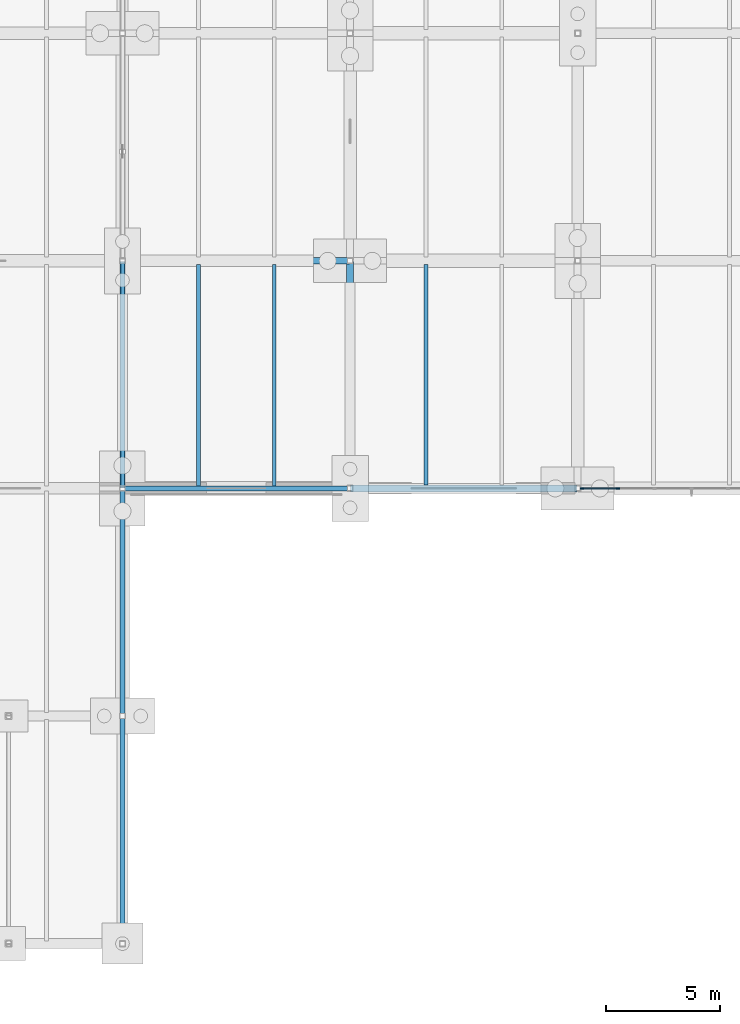
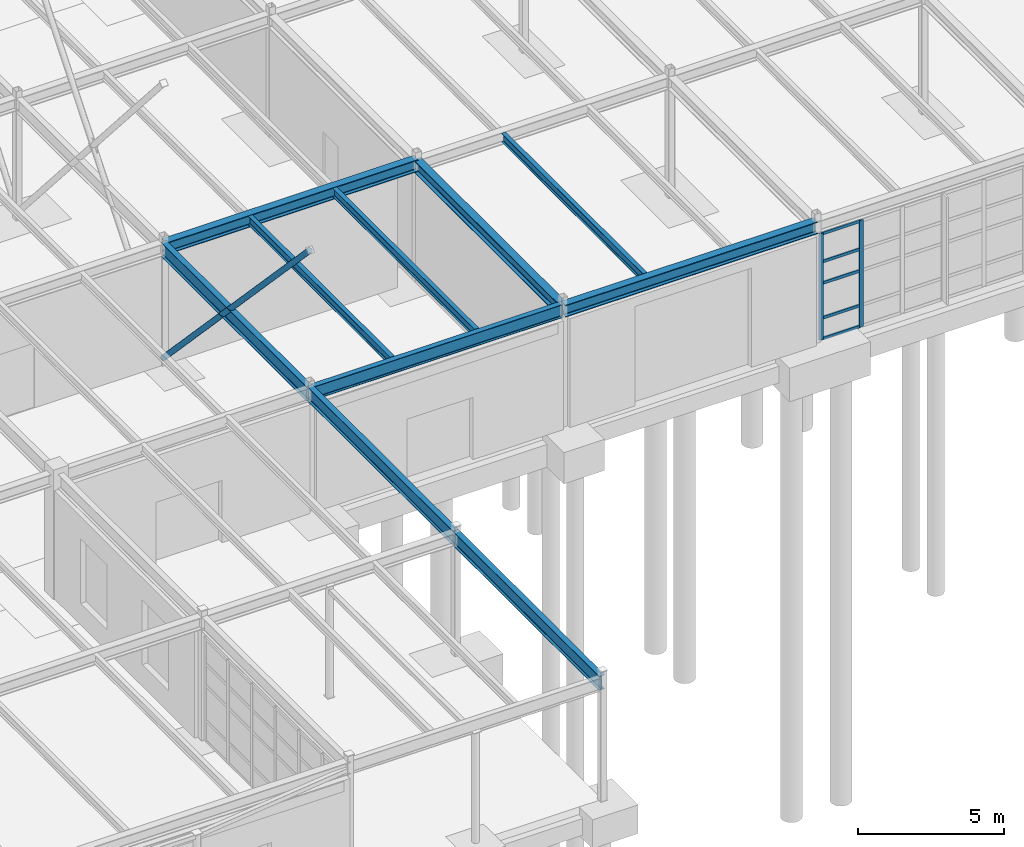
# One storey, part 42 of 145: 10 beams, 8 members, 1 element without a shape of its own.
"""IFC4 building model written with IfcOpenShell, lengths in metres."""

from ifc_helpers import new_model, si_unit, direction, frame, origin, origin_2d, place, context, subcontext, project, spatial, rectangle, hollow_circle, i_section, extrude, material, layer, layer_set, material_profile, profile_set, type_object, element, aggregate, save


model = new_model("IFC4")

# Units and contexts
model_context = context("Model", 3, precision=1e-05, world=origin(), true_north=direction((0.0, 1.0)))
body_context = subcontext(model_context, "Body", "Model", "MODEL_VIEW")
ifc_project = project(units=[si_unit("LENGTHUNIT", "METRE"), si_unit("AREAUNIT", "SQUARE_METRE"), si_unit("VOLUMEUNIT", "CUBIC_METRE"), si_unit("PLANEANGLEUNIT", "RADIAN"), si_unit("MASSUNIT", "GRAM", prefix="KILO"), si_unit("THERMODYNAMICTEMPERATUREUNIT", "KELVIN"), si_unit("POWERUNIT", "WATT")], contexts=[model_context])

# Site, building, storey
site_placement = place(None, origin())
site = spatial("IfcSite", under=ifc_project, at=site_placement, CompositionType="ELEMENT")
building_placement = place(site_placement, origin())
building = spatial("IfcBuilding", under=site, at=building_placement, Name="Korenveer Ferry Terminal", CompositionType="ELEMENT")
storey_placement = place(building_placement, origin())
storey = spatial("IfcBuildingStorey", under=building, at=storey_placement, Name="L00", CompositionType="ELEMENT", Elevation=0.0)

# Curtain wall, members
ifc_material_1 = material(Name="Unitised bronze-and-glass curtain wall", Category="glass")
ifc_layer = layer(ifc_material_1, 0.159912109375)
ifc_layer_set = layer_set([ifc_layer], Name="Unitised bronze-and-glass curtain wall")
curtain_wall_type = type_object("IfcCurtainWallType", Name="ENV-CW-02", PredefinedType="USERDEFINED", material=ifc_layer_set)
curtain_wall_placement = place(storey_placement, frame((83.155029296875, 20.0, 0.0)))
curtain_wall = element("IfcCurtainWall", 1, at=curtain_wall_placement, inside=storey, type_object=curtain_wall_type, Name="Lancet curtain wall CWX-L00-X83-93-Y20-20", ObjectType="UNITISED CURTAIN WALL", PredefinedType="USERDEFINED")
ifc_material_2 = material(Name="Anodised bronze aluminium", Category="aluminium")
ifc_material_profile_1 = material_profile(ifc_material_2, rectangle(XDim=0.06005859375, YDim=0.159912109375, at=origin_2d()), Name="ALU 60x160")
ifc_profile_set_1 = profile_set([ifc_material_profile_1], Name="Anodised bronze aluminium")
member_type_1 = type_object("IfcMemberType", Name="ENV-CWM-60X160", PredefinedType="MULLION", material=ifc_profile_set_1)
member_1_placement = place(storey_placement, frame((83.18505859375, 20.0, 0.0), z_axis=(0.0, 0.0, 1.0), x_axis=(0.0, 1.0, 0.0)))
member_1 = element("IfcMember", 2, at=member_1_placement, type_object=member_type_1, Name="CW-02 mullion 1", PredefinedType="MULLION", context=body_context, shape_type="SweptSolid", body=[
    extrude(rectangle(XDim=0.06005859375, YDim=0.159912109375, at=origin_2d()), origin(), (0.0, 0.0, 1.0), 4.449951171875),
])
member_2_placement = place(storey_placement, frame((84.77001953125, 20.0, 0.0), z_axis=(0.0, 0.0, 1.0), x_axis=(0.0, 1.0, 0.0)))
member_2 = element("IfcMember", 3, at=member_2_placement, type_object=member_type_1, Name="CW-02 mullion 2", PredefinedType="MULLION", context=body_context, shape_type="SweptSolid", body=[
    extrude(rectangle(XDim=0.06005859375, YDim=0.159912109375, at=origin_2d()), origin(), (0.0, 0.0, 1.0), 4.449951171875),
])
ifc_material_profile_2 = material_profile(ifc_material_2, rectangle(XDim=0.06005859375, YDim=0.1201171875, at=origin_2d()), Name="ALU 60x120")
ifc_profile_set_2 = profile_set([ifc_material_profile_2], Name="Anodised bronze aluminium")
member_type_2 = type_object("IfcMemberType", Name="ENV-CWT-60X120", PredefinedType="USERDEFINED", material=ifc_profile_set_2)
member_3_placement = place(storey_placement, frame((83.215087890625, 20.0, 0.030029296875), z_axis=(1.0, 0.0, 0.0), x_axis=(0.0, 1.0, 0.0)))
member_3 = element("IfcMember", 4, at=member_3_placement, type_object=member_type_2, Name="CW-02 transom 1.1", ObjectType="TRANSOM", PredefinedType="USERDEFINED", context=body_context, shape_type="SweptSolid", body=[
    extrude(rectangle(XDim=0.06005859375, YDim=0.1201171875, at=origin_2d()), origin(), (0.0, 0.0, 1.0), 1.52490234375),
])
member_4_placement = place(storey_placement, frame((83.215087890625, 20.0, 0.89990234375), z_axis=(1.0, 0.0, 0.0), x_axis=(0.0, 1.0, 0.0)))
member_4 = element("IfcMember", 5, at=member_4_placement, type_object=member_type_2, Name="CW-02 transom 1.2", ObjectType="TRANSOM", PredefinedType="USERDEFINED", context=body_context, shape_type="SweptSolid", body=[
    extrude(rectangle(XDim=0.06005859375, YDim=0.1201171875, at=origin_2d()), origin(), (0.0, 0.0, 1.0), 1.52490234375),
])
member_5_placement = place(storey_placement, frame((83.215087890625, 20.0, 2.35009765625), z_axis=(1.0, 0.0, 0.0), x_axis=(0.0, 1.0, 0.0)))
member_5 = element("IfcMember", 6, at=member_5_placement, type_object=member_type_2, Name="CW-02 transom 1.3", ObjectType="TRANSOM", PredefinedType="USERDEFINED", context=body_context, shape_type="SweptSolid", body=[
    extrude(rectangle(XDim=0.06005859375, YDim=0.1201171875, at=origin_2d()), origin(), (0.0, 0.0, 1.0), 1.52490234375),
])
member_6_placement = place(storey_placement, frame((83.215087890625, 20.0, 3.25), z_axis=(1.0, 0.0, 0.0), x_axis=(0.0, 1.0, 0.0)))
member_6 = element("IfcMember", 7, at=member_6_placement, type_object=member_type_2, Name="CW-02 transom 1.4", ObjectType="TRANSOM", PredefinedType="USERDEFINED", context=body_context, shape_type="SweptSolid", body=[
    extrude(rectangle(XDim=0.06005859375, YDim=0.1201171875, at=origin_2d()), origin(), (0.0, 0.0, 1.0), 1.52490234375),
])
member_7_placement = place(storey_placement, frame((83.215087890625, 20.0, 4.419921875), z_axis=(1.0, 0.0, 0.0), x_axis=(0.0, 1.0, 0.0)))
member_7 = element("IfcMember", 8, at=member_7_placement, type_object=member_type_2, Name="CW-02 transom 1.5", ObjectType="TRANSOM", PredefinedType="USERDEFINED", context=body_context, shape_type="SweptSolid", body=[
    extrude(rectangle(XDim=0.06005859375, YDim=0.1201171875, at=origin_2d()), origin(), (0.0, 0.0, 1.0), 1.52490234375),
])
aggregate(curtain_wall, [member_1, member_2, member_3, member_4, member_5, member_6, member_7])

# Beams
ifc_material_3 = material(Name="Steel S355", Category="steel")
ifc_material_profile_3 = material_profile(ifc_material_3, i_section(OverallWidth=0.300048828125, OverallDepth=0.5, WebThickness=0.014404296875, FlangeThickness=0.028076171875, FilletRadius=0.027099609375, at=origin_2d()), Name="HEB 500")
ifc_profile_set_3 = profile_set([ifc_material_profile_3], Name="Steel S355")
beam_type_1 = type_object("IfcBeamType", Name="STR-BM-HEB500", PredefinedType="BEAM", material=ifc_profile_set_3)
for number, where, z_axis, x_axis, name in (
    (9, (73.02001953125, 20.0, 4.830078125), (1.0, 0.0, 0.0), (0.0, 1.0, 0.0), "Primary X girder BMX-L01-X73-83-Y20"),
    (10, (63.02001953125, 30.0, 4.8701171875), (1.0, 0.0, 0.0), (0.0, 1.0, 0.0), "Primary X girder BMX-L01-X63-73-Y30"),
    (11, (73.0, 20.02001953125, 4.830078125), (0.0, 1.0, 0.0), (-1.0, 0.0, 0.0), "Primary Y girder BMY-L01-X73-Y20-30"),
):
    element("IfcBeam", number, at=place(storey_placement, frame(where, z_axis=z_axis, x_axis=x_axis)), inside=storey, type_object=beam_type_1, Name=name, PredefinedType="BEAM", context=body_context, shape_type="SweptSolid", body=[
        extrude(i_section(OverallWidth=0.300048828125, OverallDepth=0.5, WebThickness=0.014404296875, FlangeThickness=0.028076171875, FilletRadius=0.027099609375, at=origin_2d()), origin(), (0.0, 0.0, 1.0), 9.9599609375),
    ])
ifc_material_profile_4 = material_profile(ifc_material_3, i_section(OverallWidth=0.2099609375, OverallDepth=0.550048828125, WebThickness=0.010986328125, FlangeThickness=0.01708984375, FilletRadius=0.02392578125, at=origin_2d()), Name="IPE 550")
ifc_profile_set_4 = profile_set([ifc_material_profile_4], Name="Steel S355")
beam_type_2 = type_object("IfcBeamType", Name="STR-BM-IPE550", PredefinedType="BEAM", material=ifc_profile_set_4)
beam_1_placement = place(storey_placement, frame((63.02001953125, 20.0, 4.844970703125), z_axis=(1.0, 0.0, 0.0), x_axis=(0.0, 1.0, 0.0)))
element("IfcBeam", 12, at=beam_1_placement, inside=storey, type_object=beam_type_2, Name="Primary X girder BMX-L01-X63-73-Y20", PredefinedType="BEAM", context=body_context, shape_type="SweptSolid", body=[
    extrude(i_section(OverallWidth=0.2099609375, OverallDepth=0.550048828125, WebThickness=0.010986328125, FlangeThickness=0.01708984375, FilletRadius=0.02392578125, at=origin_2d()), origin(), (0.0, 0.0, 1.0), 9.9599609375),
])
ifc_material_profile_5 = material_profile(ifc_material_3, i_section(OverallWidth=0.219970703125, OverallDepth=0.60009765625, WebThickness=0.011962890625, FlangeThickness=0.01904296875, FilletRadius=0.02392578125, at=origin_2d()), Name="IPE 600")
ifc_profile_set_5 = profile_set([ifc_material_profile_5], Name="Steel S355")
beam_type_3 = type_object("IfcBeamType", Name="STR-BM-IPE600", PredefinedType="BEAM", material=ifc_profile_set_5)
for number, where, z_axis, x_axis, name in (
    (13, (63.0, 0.02001953125, 4.860107421875), (0.0, 1.0, 0.0), (-1.0, 0.0, 0.0), "Primary Y girder BMY-L01-X63-Y0-10"),
    (14, (63.0, 10.02001953125, 4.860107421875), (0.0, 1.0, 0.0), (-1.0, 0.0, 0.0), "Primary Y girder BMY-L01-X63-Y10-20"),
    (15, (63.0, 20.02001953125, 4.820068359375), (0.0, 1.0, 0.0), (-1.0, 0.0, 0.0), "Primary Y girder BMY-L01-X63-Y20-30"),
):
    element("IfcBeam", number, at=place(storey_placement, frame(where, z_axis=z_axis, x_axis=x_axis)), inside=storey, type_object=beam_type_3, Name=name, PredefinedType="BEAM", context=body_context, shape_type="SweptSolid", body=[
        extrude(i_section(OverallWidth=0.219970703125, OverallDepth=0.60009765625, WebThickness=0.011962890625, FlangeThickness=0.01904296875, FilletRadius=0.02392578125, at=origin_2d()), origin(), (0.0, 0.0, 1.0), 9.9599609375),
    ])
ifc_material_profile_6 = material_profile(ifc_material_3, i_section(OverallWidth=0.169921875, OverallDepth=0.360107421875, WebThickness=0.008056640625, FlangeThickness=0.0126953125, FilletRadius=0.01806640625, at=origin_2d()), Name="IPE 360")
ifc_profile_set_6 = profile_set([ifc_material_profile_6], Name="Steel S355")
beam_type_4 = type_object("IfcBeamType", Name="STR-JST-IPE360", PredefinedType="JOIST", material=ifc_profile_set_6)
for number, where, z_axis, x_axis, name in (
    (16, (66.333251953125, 20.114990234375, 4.93994140625), (0.0, 1.0, 0.0), (-1.0, 0.0, 0.0), "Secondary composite joist JST-L01-X663-Y20-30"),
    (17, (69.666748046875, 20.114990234375, 4.93994140625), (0.0, 1.0, 0.0), (-1.0, 0.0, 0.0), "Secondary composite joist JST-L01-X697-Y20-30"),
):
    element("IfcBeam", number, at=place(storey_placement, frame(where, z_axis=z_axis, x_axis=x_axis)), inside=storey, type_object=beam_type_4, Name=name, PredefinedType="JOIST", context=body_context, shape_type="SweptSolid", body=[
        extrude(i_section(OverallWidth=0.169921875, OverallDepth=0.360107421875, WebThickness=0.008056640625, FlangeThickness=0.0126953125, FilletRadius=0.01806640625, at=origin_2d()), origin(), (0.0, 0.0, 1.0), 9.72509765625),
    ])
beam_2_placement = place(storey_placement, frame((76.333251953125, 20.159912109375, 4.89990234375), z_axis=(0.0, 1.0, 0.0), x_axis=(-1.0, 0.0, 0.0)))
element("IfcBeam", 18, at=beam_2_placement, inside=storey, type_object=beam_type_4, Name="Secondary composite joist JST-L01-X763-Y20-30", PredefinedType="JOIST", context=body_context, shape_type="SweptSolid", body=[
    extrude(i_section(OverallWidth=0.169921875, OverallDepth=0.360107421875, WebThickness=0.008056640625, FlangeThickness=0.0126953125, FilletRadius=0.01806640625, at=origin_2d()), origin(), (0.0, 0.0, 1.0), 9.68017578125),
])

# Member
ifc_material_profile_7 = material_profile(ifc_material_3, hollow_circle(Radius=0.109619140625, WallThickness=0.012451171875, at=origin_2d()), Name="CHS 219.1x12.5")
ifc_profile_set_7 = profile_set([ifc_material_profile_7], Name="Steel S355")
member_type_3 = type_object("IfcMemberType", Name="STR-STT-CHS219", PredefinedType="STRUT", material=ifc_profile_set_7)
member_8_placement = place(storey_placement, frame((63.0, 30.0, 0.25), z_axis=(0.0, -0.687992463231, 0.72571783121), x_axis=(1.0, 0.0, 0.0)))
element("IfcMember", 19, at=member_8_placement, inside=storey, type_object=member_type_3, Name="V-splayed colonnade strut VSTR-FLK-63-30-0", PredefinedType="STRUT", context=body_context, shape_type="SweptSolid", body=[
    extrude(hollow_circle(Radius=0.109619140625, WallThickness=0.012451171875, at=origin_2d()), origin(), (0.0, 0.0, 1.0), 14.53515625),
])

save(model, "model.ifc")
